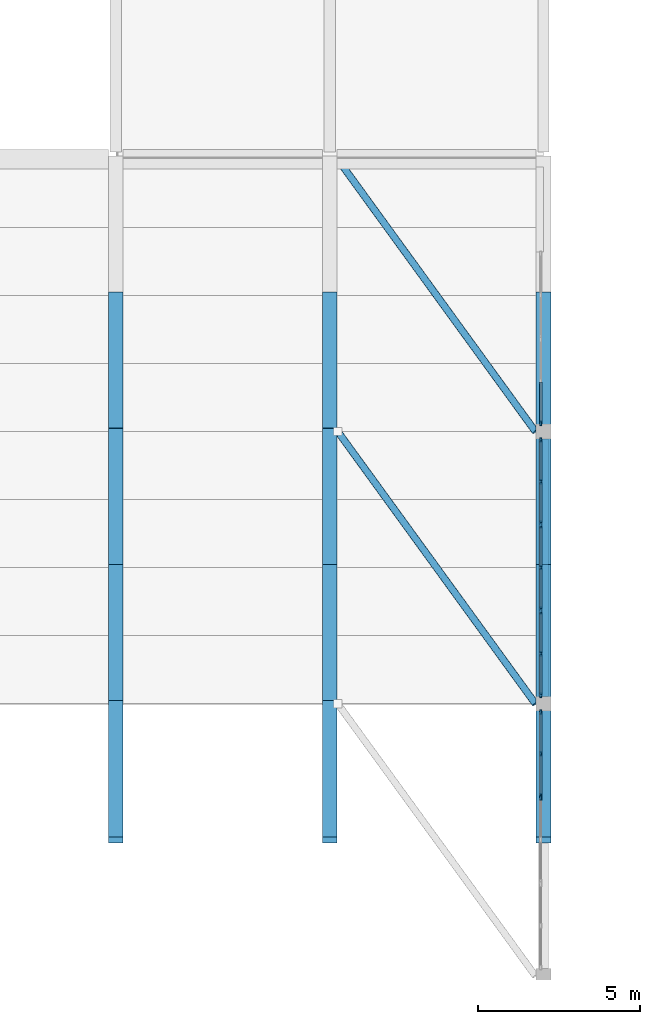
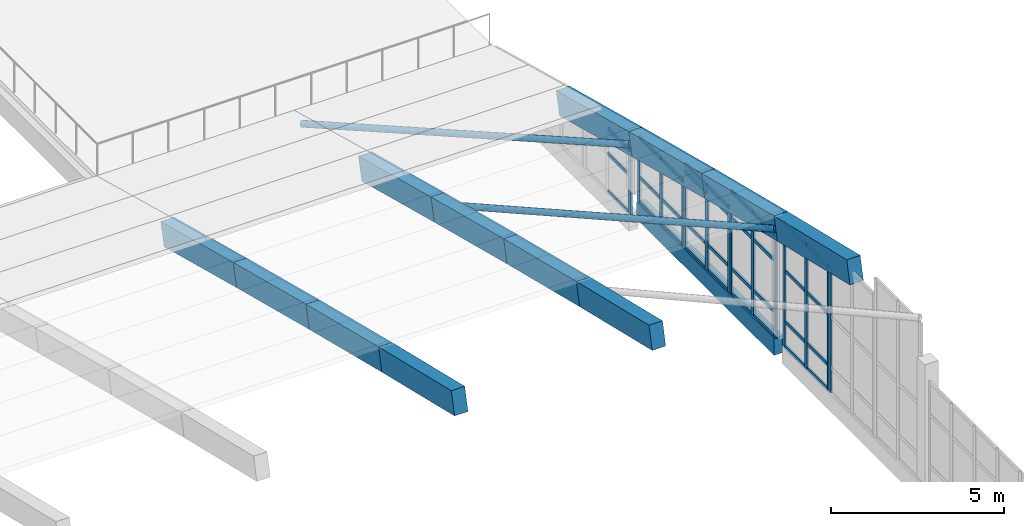
# One storey, part 16 of 78: 49 members, 13 beams, 6 elements without a shape of their own.
"""IFC4 building model written with IfcOpenShell, lengths in metres."""

from ifc_helpers import new_model, si_unit, direction, frame, origin, origin_2d, place, context, subcontext, project, spatial, rectangle, hollow_circle, extrude, material, material_profile, profile_set, type_object, element, aggregate, save


model = new_model("IFC4")

# Units and contexts
model_context = context("Model", 3, precision=1e-05, world=origin(), true_north=direction((0.0, 1.0)))
body_context = subcontext(model_context, "Body", "Model", "MODEL_VIEW")
ifc_project = project(units=[si_unit("LENGTHUNIT", "METRE"), si_unit("AREAUNIT", "SQUARE_METRE"), si_unit("VOLUMEUNIT", "CUBIC_METRE"), si_unit("PLANEANGLEUNIT", "RADIAN"), si_unit("MASSUNIT", "GRAM", prefix="KILO")], contexts=[model_context])

# Site, building, storey
site_placement = place(None, origin())
site = spatial("IfcSite", under=ifc_project, at=site_placement, CompositionType="ELEMENT")
building_placement = place(site_placement, origin())
building = spatial("IfcBuilding", under=site, at=building_placement, Name="Qaldarim Faculty of Natural and Applied Sciences", CompositionType="ELEMENT")
storey_placement = place(building_placement, frame((0.0, 0.0, 18.60009765625)))
storey = spatial("IfcBuildingStorey", under=building, at=storey_placement, Name="L04", CompositionType="ELEMENT", Elevation=18.60009765625)

# Curtain wall, member
ifc_material_1 = material(Name="Anodised aluminium AW-6063", Category="aluminium")
curtain_wall_type_1 = type_object("IfcCurtainWallType", Name="CurtainWallSystem-M1300", PredefinedType="USERDEFINED", material=ifc_material_1)
curtain_wall_1_placement = place(storey_placement, origin())
curtain_wall_1 = element("IfcCurtainWall", 1, at=curtain_wall_1_placement, inside=storey, type_object=curtain_wall_type_1, Name="Curtain wall CW-GABLE-L04-E-Y08-2", ObjectType="STICK CURTAIN WALL", PredefinedType="USERDEFINED")
ifc_material_profile_1 = material_profile(ifc_material_1, rectangle(XDim=0.06005859375, YDim=0.14990234375, at=origin_2d()), Name="ALU-M60x150")
ifc_profile_set_1 = profile_set([ifc_material_profile_1], Name="Anodised aluminium AW-6063")
member_type_1 = type_object("IfcMemberType", Name="Mullion-ALU60x150", PredefinedType="MULLION", material=ifc_profile_set_1)
member_1_placement = place(storey_placement, frame((46.1201171875, 64.2900390625, -0.260009765625), z_axis=(0.0, 0.0, 1.0), x_axis=(-1.0, 0.0, 0.0)))
member_1 = element("IfcMember", 2, at=member_1_placement, type_object=member_type_1, Name="Mullion 3 of CW-GABLE-L04-E-Y08-2", PredefinedType="MULLION", context=body_context, shape_type="SweptSolid", body=[
    extrude(rectangle(XDim=0.06005859375, YDim=0.14990234375, at=origin_2d()), origin(), (0.0, 0.0, 1.0), 5.0048828125),
])
aggregate(curtain_wall_1, [member_1])

# Curtain wall, members
curtain_wall_2_placement = place(storey_placement, origin())
curtain_wall_2 = element("IfcCurtainWall", 3, at=curtain_wall_2_placement, inside=storey, type_object=curtain_wall_type_1, Name="Curtain wall CW-GABLE-L04-E-Y08-3", ObjectType="STICK CURTAIN WALL", PredefinedType="USERDEFINED")
member_2_placement = place(storey_placement, frame((46.1201171875, 64.364990234375, -0.260009765625), z_axis=(0.0, 0.0, 1.0), x_axis=(-1.0, 0.0, 0.0)))
member_2 = element("IfcMember", 4, at=member_2_placement, type_object=member_type_1, Name="Mullion 1 of CW-GABLE-L04-E-Y08-3", PredefinedType="MULLION", context=body_context, shape_type="SweptSolid", body=[
    extrude(rectangle(XDim=0.06005859375, YDim=0.14990234375, at=origin_2d()), origin(), (0.0, 0.0, 1.0), 4.385009765625),
])
member_3_placement = place(storey_placement, frame((46.1201171875, 65.652587890625, -0.260009765625), z_axis=(0.0, 0.0, 1.0), x_axis=(-1.0, 0.0, 0.0)))
member_3 = element("IfcMember", 5, at=member_3_placement, type_object=member_type_1, Name="Mullion 2 of CW-GABLE-L04-E-Y08-3", PredefinedType="MULLION", context=body_context, shape_type="SweptSolid", body=[
    extrude(rectangle(XDim=0.06005859375, YDim=0.14990234375, at=origin_2d()), origin(), (0.0, 0.0, 1.0), 4.385009765625),
])
member_4_placement = place(storey_placement, frame((46.1201171875, 66.93994140625, -0.260009765625), z_axis=(0.0, 0.0, 1.0), x_axis=(-1.0, 0.0, 0.0)))
member_4 = element("IfcMember", 6, at=member_4_placement, type_object=member_type_1, Name="Mullion 3 of CW-GABLE-L04-E-Y08-3", PredefinedType="MULLION", context=body_context, shape_type="SweptSolid", body=[
    extrude(rectangle(XDim=0.06005859375, YDim=0.14990234375, at=origin_2d()), origin(), (0.0, 0.0, 1.0), 4.385009765625),
])

curtain_wall_3_placement = place(storey_placement, origin())
curtain_wall_3 = element("IfcCurtainWall", 7, at=curtain_wall_3_placement, inside=storey, type_object=curtain_wall_type_1, Name="Curtain wall CW-GABLE-L04-E-Y09-1", ObjectType="STICK CURTAIN WALL", PredefinedType="USERDEFINED")
member_5_placement = place(storey_placement, frame((46.1201171875, 67.4599609375, -0.260009765625), z_axis=(0.0, 0.0, 1.0), x_axis=(-1.0, 0.0, 0.0)))
member_5 = element("IfcMember", 8, at=member_5_placement, type_object=member_type_1, Name="Mullion 1 of CW-GABLE-L04-E-Y09-1", PredefinedType="MULLION", context=body_context, shape_type="SweptSolid", body=[
    extrude(rectangle(XDim=0.06005859375, YDim=0.14990234375, at=origin_2d()), origin(), (0.0, 0.0, 1.0), 3.64501953125),
])
member_6_placement = place(storey_placement, frame((46.1201171875, 68.74755859375, -0.260009765625), z_axis=(0.0, 0.0, 1.0), x_axis=(-1.0, 0.0, 0.0)))
member_6 = element("IfcMember", 9, at=member_6_placement, type_object=member_type_1, Name="Mullion 2 of CW-GABLE-L04-E-Y09-1", PredefinedType="MULLION", context=body_context, shape_type="SweptSolid", body=[
    extrude(rectangle(XDim=0.06005859375, YDim=0.14990234375, at=origin_2d()), origin(), (0.0, 0.0, 1.0), 3.64501953125),
])
member_7_placement = place(storey_placement, frame((46.1201171875, 70.034912109375, -0.260009765625), z_axis=(0.0, 0.0, 1.0), x_axis=(-1.0, 0.0, 0.0)))
member_7 = element("IfcMember", 10, at=member_7_placement, type_object=member_type_1, Name="Mullion 3 of CW-GABLE-L04-E-Y09-1", PredefinedType="MULLION", context=body_context, shape_type="SweptSolid", body=[
    extrude(rectangle(XDim=0.06005859375, YDim=0.14990234375, at=origin_2d()), origin(), (0.0, 0.0, 1.0), 3.64501953125),
])

curtain_wall_4_placement = place(storey_placement, origin())
curtain_wall_4 = element("IfcCurtainWall", 11, at=curtain_wall_4_placement, inside=storey, type_object=curtain_wall_type_1, Name="Curtain wall CW-GABLE-L04-E-Y09-2", ObjectType="STICK CURTAIN WALL", PredefinedType="USERDEFINED")
member_8_placement = place(storey_placement, frame((46.1201171875, 70.114990234375, -0.260009765625), z_axis=(0.0, 0.0, 1.0), x_axis=(-1.0, 0.0, 0.0)))
member_8 = element("IfcMember", 12, at=member_8_placement, type_object=member_type_1, Name="Mullion 1 of CW-GABLE-L04-E-Y09-2", PredefinedType="MULLION", context=body_context, shape_type="SweptSolid", body=[
    extrude(rectangle(XDim=0.06005859375, YDim=0.14990234375, at=origin_2d()), origin(), (0.0, 0.0, 1.0), 2.989990234375),
])
member_9_placement = place(storey_placement, frame((46.1201171875, 71.402587890625, -0.260009765625), z_axis=(0.0, 0.0, 1.0), x_axis=(-1.0, 0.0, 0.0)))
member_9 = element("IfcMember", 13, at=member_9_placement, type_object=member_type_1, Name="Mullion 2 of CW-GABLE-L04-E-Y09-2", PredefinedType="MULLION", context=body_context, shape_type="SweptSolid", body=[
    extrude(rectangle(XDim=0.06005859375, YDim=0.14990234375, at=origin_2d()), origin(), (0.0, 0.0, 1.0), 2.989990234375),
])
member_10_placement = place(storey_placement, frame((46.1201171875, 72.68994140625, -0.260009765625), z_axis=(0.0, 0.0, 1.0), x_axis=(-1.0, 0.0, 0.0)))
member_10 = element("IfcMember", 14, at=member_10_placement, type_object=member_type_1, Name="Mullion 3 of CW-GABLE-L04-E-Y09-2", PredefinedType="MULLION", context=body_context, shape_type="SweptSolid", body=[
    extrude(rectangle(XDim=0.06005859375, YDim=0.14990234375, at=origin_2d()), origin(), (0.0, 0.0, 1.0), 2.989990234375),
])

curtain_wall_5_placement = place(storey_placement, origin())
curtain_wall_5 = element("IfcCurtainWall", 15, at=curtain_wall_5_placement, inside=storey, type_object=curtain_wall_type_1, Name="Curtain wall CW-GABLE-L04-E-Y09-3", ObjectType="STICK CURTAIN WALL", PredefinedType="USERDEFINED")
member_11_placement = place(storey_placement, frame((46.1201171875, 72.764892578125, -0.260009765625), z_axis=(0.0, 0.0, 1.0), x_axis=(-1.0, 0.0, 0.0)))
member_11 = element("IfcMember", 16, at=member_11_placement, type_object=member_type_1, Name="Mullion 1 of CW-GABLE-L04-E-Y09-3", PredefinedType="MULLION", context=body_context, shape_type="SweptSolid", body=[
    extrude(rectangle(XDim=0.06005859375, YDim=0.14990234375, at=origin_2d()), origin(), (0.0, 0.0, 1.0), 2.31982421875),
])
member_12_placement = place(storey_placement, frame((46.1201171875, 74.052490234375, -0.260009765625), z_axis=(0.0, 0.0, 1.0), x_axis=(-1.0, 0.0, 0.0)))
member_12 = element("IfcMember", 17, at=member_12_placement, type_object=member_type_1, Name="Mullion 2 of CW-GABLE-L04-E-Y09-3", PredefinedType="MULLION", context=body_context, shape_type="SweptSolid", body=[
    extrude(rectangle(XDim=0.06005859375, YDim=0.14990234375, at=origin_2d()), origin(), (0.0, 0.0, 1.0), 2.31982421875),
])
member_13_placement = place(storey_placement, frame((46.1201171875, 75.340087890625, -0.260009765625), z_axis=(0.0, 0.0, 1.0), x_axis=(-1.0, 0.0, 0.0)))
member_13 = element("IfcMember", 18, at=member_13_placement, type_object=member_type_1, Name="Mullion 3 of CW-GABLE-L04-E-Y09-3", PredefinedType="MULLION", context=body_context, shape_type="SweptSolid", body=[
    extrude(rectangle(XDim=0.06005859375, YDim=0.14990234375, at=origin_2d()), origin(), (0.0, 0.0, 1.0), 2.31982421875),
])

# Curtain wall, member
curtain_wall_type_2 = type_object("IfcCurtainWallType", Name="CurtainWallSystem-M1500", PredefinedType="USERDEFINED", material=ifc_material_1)
curtain_wall_6_placement = place(storey_placement, origin())
curtain_wall_6 = element("IfcCurtainWall", 19, at=curtain_wall_6_placement, inside=storey, type_object=curtain_wall_type_2, Name="Curtain wall CW-GABLE-L04-E-Y10-1", ObjectType="STICK CURTAIN WALL", PredefinedType="USERDEFINED")
member_14_placement = place(storey_placement, frame((46.1201171875, 75.860107421875, -0.97998046875), z_axis=(0.0, 0.0, 1.0), x_axis=(-1.0, 0.0, 0.0)))
member_14 = element("IfcMember", 20, at=member_14_placement, type_object=member_type_1, Name="Mullion 1 of CW-GABLE-L04-E-Y10-1", PredefinedType="MULLION", context=body_context, shape_type="SweptSolid", body=[
    extrude(rectangle(XDim=0.06005859375, YDim=0.14990234375, at=origin_2d()), origin(), (0.0, 0.0, 1.0), 2.244873046875),
])

# Beams
ifc_material_2 = material(Name="Concrete C50/60", Category="concrete")
ifc_material_profile_2 = material_profile(ifc_material_2, rectangle(XDim=0.449951171875, YDim=0.800048828125, at=origin_2d()), Name="RC-RIB450x800")
ifc_profile_set_2 = profile_set([ifc_material_profile_2], Name="Concrete C50/60")
beam_type_1 = type_object("IfcBeamType", Name="ShellArchRib-RC450x800", PredefinedType="BEAM", material=ifc_profile_set_2)
beam_1_placement = place(storey_placement, frame((33.0, 79.800048828125, 0.56494140625), z_axis=(0.0, -0.967379770431, 0.253330574074), x_axis=(1.0, 0.0, 0.0)))
element("IfcBeam", 21, at=beam_1_placement, inside=storey, type_object=beam_type_1, Name="Shell arch rib 6 N segment 2", PredefinedType="BEAM", context=body_context, shape_type="SweptSolid", body=[
    extrude(rectangle(XDim=0.449951171875, YDim=0.800048828125, at=origin_2d()), origin(), (0.0, 0.0, 1.0), 4.341552734375),
])
beam_2_placement = place(storey_placement, frame((33.0, 75.60009765625, 1.664794921875), z_axis=(0.0, -0.968762445558, 0.247990572555), x_axis=(1.0, 0.0, 0.0)))
element("IfcBeam", 22, at=beam_2_placement, inside=storey, type_object=beam_type_1, Name="Shell arch rib 6 N segment 3", PredefinedType="BEAM", context=body_context, shape_type="SweptSolid", body=[
    extrude(rectangle(XDim=0.449951171875, YDim=0.800048828125, at=origin_2d()), origin(), (0.0, 0.0, 1.0), 4.335693359375),
])
beam_3_placement = place(storey_placement, frame((33.0, 71.39990234375, 2.739990234375), z_axis=(0.0, -0.970694267703, 0.24031778679), x_axis=(1.0, 0.0, 0.0)))
element("IfcBeam", 23, at=beam_3_placement, inside=storey, type_object=beam_type_1, Name="Shell arch rib 6 N segment 4", PredefinedType="BEAM", context=body_context, shape_type="SweptSolid", body=[
    extrude(rectangle(XDim=0.449951171875, YDim=0.800048828125, at=origin_2d()), origin(), (0.0, 0.0, 1.0), 4.32666015625),
])
beam_4_placement = place(storey_placement, frame((33.0, 67.199951171875, 3.77978515625), z_axis=(0.0, -0.972805607937, 0.231623075633), x_axis=(1.0, 0.0, 0.0)))
element("IfcBeam", 24, at=beam_4_placement, inside=storey, type_object=beam_type_1, Name="Shell arch rib 6 N segment 5", PredefinedType="BEAM", context=body_context, shape_type="SweptSolid", body=[
    extrude(rectangle(XDim=0.449951171875, YDim=0.800048828125, at=origin_2d()), origin(), (0.0, 0.0, 1.0), 4.3173828125),
])
beam_5_placement = place(storey_placement, frame((39.60009765625, 79.800048828125, 0.56494140625), z_axis=(0.0, -0.967379770431, 0.253330574074), x_axis=(1.0, 0.0, 0.0)))
element("IfcBeam", 25, at=beam_5_placement, inside=storey, type_object=beam_type_1, Name="Shell arch rib 7 N segment 2", PredefinedType="BEAM", context=body_context, shape_type="SweptSolid", body=[
    extrude(rectangle(XDim=0.449951171875, YDim=0.800048828125, at=origin_2d()), origin(), (0.0, 0.0, 1.0), 4.341552734375),
])
beam_6_placement = place(storey_placement, frame((39.60009765625, 75.60009765625, 1.664794921875), z_axis=(0.0, -0.968762445558, 0.247990572555), x_axis=(1.0, 0.0, 0.0)))
element("IfcBeam", 26, at=beam_6_placement, inside=storey, type_object=beam_type_1, Name="Shell arch rib 7 N segment 3", PredefinedType="BEAM", context=body_context, shape_type="SweptSolid", body=[
    extrude(rectangle(XDim=0.449951171875, YDim=0.800048828125, at=origin_2d()), origin(), (0.0, 0.0, 1.0), 4.335693359375),
])
beam_7_placement = place(storey_placement, frame((39.60009765625, 71.39990234375, 2.739990234375), z_axis=(0.0, -0.970694267703, 0.24031778679), x_axis=(1.0, 0.0, 0.0)))
element("IfcBeam", 27, at=beam_7_placement, inside=storey, type_object=beam_type_1, Name="Shell arch rib 7 N segment 4", PredefinedType="BEAM", context=body_context, shape_type="SweptSolid", body=[
    extrude(rectangle(XDim=0.449951171875, YDim=0.800048828125, at=origin_2d()), origin(), (0.0, 0.0, 1.0), 4.32666015625),
])
beam_8_placement = place(storey_placement, frame((39.60009765625, 67.199951171875, 3.77978515625), z_axis=(0.0, -0.972805607937, 0.231623075633), x_axis=(1.0, 0.0, 0.0)))
element("IfcBeam", 28, at=beam_8_placement, inside=storey, type_object=beam_type_1, Name="Shell arch rib 7 N segment 5", PredefinedType="BEAM", context=body_context, shape_type="SweptSolid", body=[
    extrude(rectangle(XDim=0.449951171875, YDim=0.800048828125, at=origin_2d()), origin(), (0.0, 0.0, 1.0), 4.3173828125),
])
beam_9_placement = place(storey_placement, frame((46.199951171875, 79.800048828125, 0.56494140625), z_axis=(0.0, -0.967379770431, 0.253330574074), x_axis=(1.0, 0.0, 0.0)))
element("IfcBeam", 29, at=beam_9_placement, inside=storey, type_object=beam_type_1, Name="Shell arch rib 8 N segment 2", PredefinedType="BEAM", context=body_context, shape_type="SweptSolid", body=[
    extrude(rectangle(XDim=0.449951171875, YDim=0.800048828125, at=origin_2d()), origin(), (0.0, 0.0, 1.0), 4.341552734375),
])
beam_10_placement = place(storey_placement, frame((46.199951171875, 75.60009765625, 1.664794921875), z_axis=(0.0, -0.968762445558, 0.247990572555), x_axis=(1.0, 0.0, 0.0)))
element("IfcBeam", 30, at=beam_10_placement, inside=storey, type_object=beam_type_1, Name="Shell arch rib 8 N segment 3", PredefinedType="BEAM", context=body_context, shape_type="SweptSolid", body=[
    extrude(rectangle(XDim=0.449951171875, YDim=0.800048828125, at=origin_2d()), origin(), (0.0, 0.0, 1.0), 4.335693359375),
])
beam_11_placement = place(storey_placement, frame((46.199951171875, 71.39990234375, 2.739990234375), z_axis=(0.0, -0.970694267703, 0.24031778679), x_axis=(1.0, 0.0, 0.0)))
element("IfcBeam", 31, at=beam_11_placement, inside=storey, type_object=beam_type_1, Name="Shell arch rib 8 N segment 4", PredefinedType="BEAM", context=body_context, shape_type="SweptSolid", body=[
    extrude(rectangle(XDim=0.449951171875, YDim=0.800048828125, at=origin_2d()), origin(), (0.0, 0.0, 1.0), 4.32666015625),
])
beam_12_placement = place(storey_placement, frame((46.199951171875, 67.199951171875, 3.77978515625), z_axis=(0.0, -0.972805607937, 0.231623075633), x_axis=(1.0, 0.0, 0.0)))
element("IfcBeam", 32, at=beam_12_placement, inside=storey, type_object=beam_type_1, Name="Shell arch rib 8 N segment 5", PredefinedType="BEAM", context=body_context, shape_type="SweptSolid", body=[
    extrude(rectangle(XDim=0.449951171875, YDim=0.800048828125, at=origin_2d()), origin(), (0.0, 0.0, 1.0), 4.3173828125),
])

# Members
ifc_material_3 = material(Name="Structural steel S355", Category="steel")
ifc_material_profile_3 = material_profile(ifc_material_3, hollow_circle(Radius=0.109619140625, WallThickness=0.012451171875, at=origin_2d()), Name="CHS 219.1x12.5")
ifc_profile_set_3 = profile_set([ifc_material_profile_3], Name="Structural steel S355")
member_type_2 = type_object("IfcMemberType", Name="ShellStrut-CHS219x12-5", PredefinedType="STRUT", material=ifc_profile_set_3)
member_15_placement = place(storey_placement, frame((39.85009765625, 84.0, -0.56005859375), z_axis=(0.574547012526, -0.791189294096, 0.209559612774), x_axis=(0.809155894574, 0.587594025052, 0.0)))
element("IfcMember", 33, at=member_15_placement, inside=storey, type_object=member_type_2, Name="Shell wind strut bay 7 N1", PredefinedType="STRUT", context=body_context, shape_type="SweptSolid", body=[
    extrude(hollow_circle(Radius=0.109619140625, WallThickness=0.012451171875, at=origin_2d()), origin(), (0.0, 0.0, 1.0), 10.61669921875),
])
member_16_placement = place(storey_placement, frame((39.85009765625, 75.60009765625, 1.664794921875), z_axis=(0.575755524521, -0.792876539211, 0.199630582707), x_axis=(0.809164014281, 0.587582843515, 0.0)))
element("IfcMember", 34, at=member_16_placement, inside=storey, type_object=member_type_2, Name="Shell wind strut bay 7 N2", PredefinedType="STRUT", context=body_context, shape_type="SweptSolid", body=[
    extrude(hollow_circle(Radius=0.109619140625, WallThickness=0.012451171875, at=origin_2d()), origin(), (0.0, 0.0, 1.0), 10.594482421875),
])

# Beam
ifc_material_4 = material(Name="Precast concrete C40/50", Category="concrete")
ifc_material_profile_4 = material_profile(ifc_material_4, rectangle(XDim=0.300048828125, YDim=0.60009765625, at=origin_2d()), Name="RC-SP300x600")
ifc_profile_set_4 = profile_set([ifc_material_profile_4], Name="Precast concrete C40/50")
beam_type_2 = type_object("IfcBeamType", Name="SpandrelBeam-RC300x600", PredefinedType="SPANDREL", material=ifc_profile_set_4)
beam_13_placement = place(storey_placement, frame((46.199951171875, 67.425048828125, -0.56005859375), z_axis=(0.0, 1.0, 0.0), x_axis=(-1.0, 0.0, 0.0)))
element("IfcBeam", 35, at=beam_13_placement, inside=storey, type_object=beam_type_2, Name="Shell gable tie beam L03 X08/Y09-Y10", PredefinedType="SPANDREL", context=body_context, shape_type="SweptSolid", body=[
    extrude(rectangle(XDim=0.300048828125, YDim=0.60009765625, at=origin_2d()), origin(), (0.0, 0.0, 1.0), 7.949951171875),
])

# Member
ifc_material_profile_5 = material_profile(ifc_material_1, rectangle(XDim=0.06005859375, YDim=0.1201171875, at=origin_2d()), Name="ALU-T60x120")
ifc_profile_set_5 = profile_set([ifc_material_profile_5], Name="Anodised aluminium AW-6063")
member_type_3 = type_object("IfcMemberType", Name="Transom-ALU60x120", PredefinedType="USERDEFINED", material=ifc_profile_set_5)
member_17_placement = place(storey_placement, frame((46.1201171875, 64.39501953125, -0.22998046875), z_axis=(0.0, 1.0, 0.0), x_axis=(-1.0, 0.0, 0.0)))
member_17 = element("IfcMember", 36, at=member_17_placement, type_object=member_type_3, Name="Transom 1-1 of CW-GABLE-L04-E-Y08-3", ObjectType="TRANSOM", PredefinedType="USERDEFINED", context=body_context, shape_type="SweptSolid", body=[
    extrude(rectangle(XDim=0.06005859375, YDim=0.1201171875, at=origin_2d()), origin(), (0.0, 0.0, 1.0), 1.2275390625),
])

member_18_placement = place(storey_placement, frame((46.1201171875, 64.39501953125, 0.639892578125), z_axis=(0.0, 1.0, 0.0), x_axis=(-1.0, 0.0, 0.0)))
member_18 = element("IfcMember", 37, at=member_18_placement, type_object=member_type_3, Name="Transom 1-2 of CW-GABLE-L04-E-Y08-3", ObjectType="TRANSOM", PredefinedType="USERDEFINED", context=body_context, shape_type="SweptSolid", body=[
    extrude(rectangle(XDim=0.06005859375, YDim=0.1201171875, at=origin_2d()), origin(), (0.0, 0.0, 1.0), 1.2275390625),
])

member_19_placement = place(storey_placement, frame((46.1201171875, 64.39501953125, 2.43994140625), z_axis=(0.0, 1.0, 0.0), x_axis=(-1.0, 0.0, 0.0)))
member_19 = element("IfcMember", 38, at=member_19_placement, type_object=member_type_3, Name="Transom 1-3 of CW-GABLE-L04-E-Y08-3", ObjectType="TRANSOM", PredefinedType="USERDEFINED", context=body_context, shape_type="SweptSolid", body=[
    extrude(rectangle(XDim=0.06005859375, YDim=0.1201171875, at=origin_2d()), origin(), (0.0, 0.0, 1.0), 1.2275390625),
])

member_20_placement = place(storey_placement, frame((46.1201171875, 64.39501953125, 4.094970703125), z_axis=(0.0, 1.0, 0.0), x_axis=(-1.0, 0.0, 0.0)))
member_20 = element("IfcMember", 39, at=member_20_placement, type_object=member_type_3, Name="Transom 1-4 of CW-GABLE-L04-E-Y08-3", ObjectType="TRANSOM", PredefinedType="USERDEFINED", context=body_context, shape_type="SweptSolid", body=[
    extrude(rectangle(XDim=0.06005859375, YDim=0.1201171875, at=origin_2d()), origin(), (0.0, 0.0, 1.0), 1.2275390625),
])

member_21_placement = place(storey_placement, frame((46.1201171875, 65.6826171875, -0.22998046875), z_axis=(0.0, 1.0, 0.0), x_axis=(-1.0, 0.0, 0.0)))
member_21 = element("IfcMember", 40, at=member_21_placement, type_object=member_type_3, Name="Transom 2-1 of CW-GABLE-L04-E-Y08-3", ObjectType="TRANSOM", PredefinedType="USERDEFINED", context=body_context, shape_type="SweptSolid", body=[
    extrude(rectangle(XDim=0.06005859375, YDim=0.1201171875, at=origin_2d()), origin(), (0.0, 0.0, 1.0), 1.227294921875),
])

member_22_placement = place(storey_placement, frame((46.1201171875, 65.6826171875, 0.639892578125), z_axis=(0.0, 1.0, 0.0), x_axis=(-1.0, 0.0, 0.0)))
member_22 = element("IfcMember", 41, at=member_22_placement, type_object=member_type_3, Name="Transom 2-2 of CW-GABLE-L04-E-Y08-3", ObjectType="TRANSOM", PredefinedType="USERDEFINED", context=body_context, shape_type="SweptSolid", body=[
    extrude(rectangle(XDim=0.06005859375, YDim=0.1201171875, at=origin_2d()), origin(), (0.0, 0.0, 1.0), 1.227294921875),
])

member_23_placement = place(storey_placement, frame((46.1201171875, 65.6826171875, 2.43994140625), z_axis=(0.0, 1.0, 0.0), x_axis=(-1.0, 0.0, 0.0)))
member_23 = element("IfcMember", 42, at=member_23_placement, type_object=member_type_3, Name="Transom 2-3 of CW-GABLE-L04-E-Y08-3", ObjectType="TRANSOM", PredefinedType="USERDEFINED", context=body_context, shape_type="SweptSolid", body=[
    extrude(rectangle(XDim=0.06005859375, YDim=0.1201171875, at=origin_2d()), origin(), (0.0, 0.0, 1.0), 1.227294921875),
])

member_24_placement = place(storey_placement, frame((46.1201171875, 65.6826171875, 4.094970703125), z_axis=(0.0, 1.0, 0.0), x_axis=(-1.0, 0.0, 0.0)))
member_24 = element("IfcMember", 43, at=member_24_placement, type_object=member_type_3, Name="Transom 2-4 of CW-GABLE-L04-E-Y08-3", ObjectType="TRANSOM", PredefinedType="USERDEFINED", context=body_context, shape_type="SweptSolid", body=[
    extrude(rectangle(XDim=0.06005859375, YDim=0.1201171875, at=origin_2d()), origin(), (0.0, 0.0, 1.0), 1.227294921875),
])

aggregate(curtain_wall_2, [member_2, member_3, member_4, member_17, member_18, member_19, member_20, member_21, member_22, member_23, member_24])

member_25_placement = place(storey_placement, frame((46.1201171875, 67.489990234375, -0.22998046875), z_axis=(0.0, 1.0, 0.0), x_axis=(-1.0, 0.0, 0.0)))
member_25 = element("IfcMember", 44, at=member_25_placement, type_object=member_type_3, Name="Transom 1-1 of CW-GABLE-L04-E-Y09-1", ObjectType="TRANSOM", PredefinedType="USERDEFINED", context=body_context, shape_type="SweptSolid", body=[
    extrude(rectangle(XDim=0.06005859375, YDim=0.1201171875, at=origin_2d()), origin(), (0.0, 0.0, 1.0), 1.2275390625),
])

member_26_placement = place(storey_placement, frame((46.1201171875, 67.489990234375, 0.639892578125), z_axis=(0.0, 1.0, 0.0), x_axis=(-1.0, 0.0, 0.0)))
member_26 = element("IfcMember", 45, at=member_26_placement, type_object=member_type_3, Name="Transom 1-2 of CW-GABLE-L04-E-Y09-1", ObjectType="TRANSOM", PredefinedType="USERDEFINED", context=body_context, shape_type="SweptSolid", body=[
    extrude(rectangle(XDim=0.06005859375, YDim=0.1201171875, at=origin_2d()), origin(), (0.0, 0.0, 1.0), 1.2275390625),
])

member_27_placement = place(storey_placement, frame((46.1201171875, 67.489990234375, 2.43994140625), z_axis=(0.0, 1.0, 0.0), x_axis=(-1.0, 0.0, 0.0)))
member_27 = element("IfcMember", 46, at=member_27_placement, type_object=member_type_3, Name="Transom 1-3 of CW-GABLE-L04-E-Y09-1", ObjectType="TRANSOM", PredefinedType="USERDEFINED", context=body_context, shape_type="SweptSolid", body=[
    extrude(rectangle(XDim=0.06005859375, YDim=0.1201171875, at=origin_2d()), origin(), (0.0, 0.0, 1.0), 1.2275390625),
])

member_28_placement = place(storey_placement, frame((46.1201171875, 67.489990234375, 3.35498046875), z_axis=(0.0, 1.0, 0.0), x_axis=(-1.0, 0.0, 0.0)))
member_28 = element("IfcMember", 47, at=member_28_placement, type_object=member_type_3, Name="Transom 1-4 of CW-GABLE-L04-E-Y09-1", ObjectType="TRANSOM", PredefinedType="USERDEFINED", context=body_context, shape_type="SweptSolid", body=[
    extrude(rectangle(XDim=0.06005859375, YDim=0.1201171875, at=origin_2d()), origin(), (0.0, 0.0, 1.0), 1.2275390625),
])

member_29_placement = place(storey_placement, frame((46.1201171875, 68.777587890625, -0.22998046875), z_axis=(0.0, 1.0, 0.0), x_axis=(-1.0, 0.0, 0.0)))
member_29 = element("IfcMember", 48, at=member_29_placement, type_object=member_type_3, Name="Transom 2-1 of CW-GABLE-L04-E-Y09-1", ObjectType="TRANSOM", PredefinedType="USERDEFINED", context=body_context, shape_type="SweptSolid", body=[
    extrude(rectangle(XDim=0.06005859375, YDim=0.1201171875, at=origin_2d()), origin(), (0.0, 0.0, 1.0), 1.227294921875),
])

member_30_placement = place(storey_placement, frame((46.1201171875, 68.777587890625, 0.639892578125), z_axis=(0.0, 1.0, 0.0), x_axis=(-1.0, 0.0, 0.0)))
member_30 = element("IfcMember", 49, at=member_30_placement, type_object=member_type_3, Name="Transom 2-2 of CW-GABLE-L04-E-Y09-1", ObjectType="TRANSOM", PredefinedType="USERDEFINED", context=body_context, shape_type="SweptSolid", body=[
    extrude(rectangle(XDim=0.06005859375, YDim=0.1201171875, at=origin_2d()), origin(), (0.0, 0.0, 1.0), 1.227294921875),
])

member_31_placement = place(storey_placement, frame((46.1201171875, 68.777587890625, 2.43994140625), z_axis=(0.0, 1.0, 0.0), x_axis=(-1.0, 0.0, 0.0)))
member_31 = element("IfcMember", 50, at=member_31_placement, type_object=member_type_3, Name="Transom 2-3 of CW-GABLE-L04-E-Y09-1", ObjectType="TRANSOM", PredefinedType="USERDEFINED", context=body_context, shape_type="SweptSolid", body=[
    extrude(rectangle(XDim=0.06005859375, YDim=0.1201171875, at=origin_2d()), origin(), (0.0, 0.0, 1.0), 1.227294921875),
])

member_32_placement = place(storey_placement, frame((46.1201171875, 68.777587890625, 3.35498046875), z_axis=(0.0, 1.0, 0.0), x_axis=(-1.0, 0.0, 0.0)))
member_32 = element("IfcMember", 51, at=member_32_placement, type_object=member_type_3, Name="Transom 2-4 of CW-GABLE-L04-E-Y09-1", ObjectType="TRANSOM", PredefinedType="USERDEFINED", context=body_context, shape_type="SweptSolid", body=[
    extrude(rectangle(XDim=0.06005859375, YDim=0.1201171875, at=origin_2d()), origin(), (0.0, 0.0, 1.0), 1.227294921875),
])

aggregate(curtain_wall_3, [member_5, member_6, member_7, member_25, member_26, member_27, member_28, member_29, member_30, member_31, member_32])

member_33_placement = place(storey_placement, frame((46.1201171875, 70.14501953125, -0.22998046875), z_axis=(0.0, 1.0, 0.0), x_axis=(-1.0, 0.0, 0.0)))
member_33 = element("IfcMember", 52, at=member_33_placement, type_object=member_type_3, Name="Transom 1-1 of CW-GABLE-L04-E-Y09-2", ObjectType="TRANSOM", PredefinedType="USERDEFINED", context=body_context, shape_type="SweptSolid", body=[
    extrude(rectangle(XDim=0.06005859375, YDim=0.1201171875, at=origin_2d()), origin(), (0.0, 0.0, 1.0), 1.2275390625),
])

member_34_placement = place(storey_placement, frame((46.1201171875, 70.14501953125, 0.639892578125), z_axis=(0.0, 1.0, 0.0), x_axis=(-1.0, 0.0, 0.0)))
member_34 = element("IfcMember", 53, at=member_34_placement, type_object=member_type_3, Name="Transom 1-2 of CW-GABLE-L04-E-Y09-2", ObjectType="TRANSOM", PredefinedType="USERDEFINED", context=body_context, shape_type="SweptSolid", body=[
    extrude(rectangle(XDim=0.06005859375, YDim=0.1201171875, at=origin_2d()), origin(), (0.0, 0.0, 1.0), 1.2275390625),
])

member_35_placement = place(storey_placement, frame((46.1201171875, 70.14501953125, 2.43994140625), z_axis=(0.0, 1.0, 0.0), x_axis=(-1.0, 0.0, 0.0)))
member_35 = element("IfcMember", 54, at=member_35_placement, type_object=member_type_3, Name="Transom 1-3 of CW-GABLE-L04-E-Y09-2", ObjectType="TRANSOM", PredefinedType="USERDEFINED", context=body_context, shape_type="SweptSolid", body=[
    extrude(rectangle(XDim=0.06005859375, YDim=0.1201171875, at=origin_2d()), origin(), (0.0, 0.0, 1.0), 1.2275390625),
])

member_36_placement = place(storey_placement, frame((46.1201171875, 70.14501953125, 2.699951171875), z_axis=(0.0, 1.0, 0.0), x_axis=(-1.0, 0.0, 0.0)))
member_36 = element("IfcMember", 55, at=member_36_placement, type_object=member_type_3, Name="Transom 1-4 of CW-GABLE-L04-E-Y09-2", ObjectType="TRANSOM", PredefinedType="USERDEFINED", context=body_context, shape_type="SweptSolid", body=[
    extrude(rectangle(XDim=0.06005859375, YDim=0.1201171875, at=origin_2d()), origin(), (0.0, 0.0, 1.0), 1.2275390625),
])

member_37_placement = place(storey_placement, frame((46.1201171875, 71.4326171875, -0.22998046875), z_axis=(0.0, 1.0, 0.0), x_axis=(-1.0, 0.0, 0.0)))
member_37 = element("IfcMember", 56, at=member_37_placement, type_object=member_type_3, Name="Transom 2-1 of CW-GABLE-L04-E-Y09-2", ObjectType="TRANSOM", PredefinedType="USERDEFINED", context=body_context, shape_type="SweptSolid", body=[
    extrude(rectangle(XDim=0.06005859375, YDim=0.1201171875, at=origin_2d()), origin(), (0.0, 0.0, 1.0), 1.227294921875),
])

member_38_placement = place(storey_placement, frame((46.1201171875, 71.4326171875, 0.639892578125), z_axis=(0.0, 1.0, 0.0), x_axis=(-1.0, 0.0, 0.0)))
member_38 = element("IfcMember", 57, at=member_38_placement, type_object=member_type_3, Name="Transom 2-2 of CW-GABLE-L04-E-Y09-2", ObjectType="TRANSOM", PredefinedType="USERDEFINED", context=body_context, shape_type="SweptSolid", body=[
    extrude(rectangle(XDim=0.06005859375, YDim=0.1201171875, at=origin_2d()), origin(), (0.0, 0.0, 1.0), 1.227294921875),
])

member_39_placement = place(storey_placement, frame((46.1201171875, 71.4326171875, 2.43994140625), z_axis=(0.0, 1.0, 0.0), x_axis=(-1.0, 0.0, 0.0)))
member_39 = element("IfcMember", 58, at=member_39_placement, type_object=member_type_3, Name="Transom 2-3 of CW-GABLE-L04-E-Y09-2", ObjectType="TRANSOM", PredefinedType="USERDEFINED", context=body_context, shape_type="SweptSolid", body=[
    extrude(rectangle(XDim=0.06005859375, YDim=0.1201171875, at=origin_2d()), origin(), (0.0, 0.0, 1.0), 1.227294921875),
])

member_40_placement = place(storey_placement, frame((46.1201171875, 71.4326171875, 2.699951171875), z_axis=(0.0, 1.0, 0.0), x_axis=(-1.0, 0.0, 0.0)))
member_40 = element("IfcMember", 59, at=member_40_placement, type_object=member_type_3, Name="Transom 2-4 of CW-GABLE-L04-E-Y09-2", ObjectType="TRANSOM", PredefinedType="USERDEFINED", context=body_context, shape_type="SweptSolid", body=[
    extrude(rectangle(XDim=0.06005859375, YDim=0.1201171875, at=origin_2d()), origin(), (0.0, 0.0, 1.0), 1.227294921875),
])

aggregate(curtain_wall_4, [member_8, member_9, member_10, member_33, member_34, member_35, member_36, member_37, member_38, member_39, member_40])

member_41_placement = place(storey_placement, frame((46.1201171875, 72.794921875, -0.22998046875), z_axis=(0.0, 1.0, 0.0), x_axis=(-1.0, 0.0, 0.0)))
member_41 = element("IfcMember", 60, at=member_41_placement, type_object=member_type_3, Name="Transom 1-1 of CW-GABLE-L04-E-Y09-3", ObjectType="TRANSOM", PredefinedType="USERDEFINED", context=body_context, shape_type="SweptSolid", body=[
    extrude(rectangle(XDim=0.06005859375, YDim=0.1201171875, at=origin_2d()), origin(), (0.0, 0.0, 1.0), 1.2275390625),
])

member_42_placement = place(storey_placement, frame((46.1201171875, 72.794921875, 0.639892578125), z_axis=(0.0, 1.0, 0.0), x_axis=(-1.0, 0.0, 0.0)))
member_42 = element("IfcMember", 61, at=member_42_placement, type_object=member_type_3, Name="Transom 1-2 of CW-GABLE-L04-E-Y09-3", ObjectType="TRANSOM", PredefinedType="USERDEFINED", context=body_context, shape_type="SweptSolid", body=[
    extrude(rectangle(XDim=0.06005859375, YDim=0.1201171875, at=origin_2d()), origin(), (0.0, 0.0, 1.0), 1.2275390625),
])

member_43_placement = place(storey_placement, frame((46.1201171875, 72.794921875, 2.02978515625), z_axis=(0.0, 1.0, 0.0), x_axis=(-1.0, 0.0, 0.0)))
member_43 = element("IfcMember", 62, at=member_43_placement, type_object=member_type_3, Name="Transom 1-3 of CW-GABLE-L04-E-Y09-3", ObjectType="TRANSOM", PredefinedType="USERDEFINED", context=body_context, shape_type="SweptSolid", body=[
    extrude(rectangle(XDim=0.06005859375, YDim=0.1201171875, at=origin_2d()), origin(), (0.0, 0.0, 1.0), 1.2275390625),
])

member_44_placement = place(storey_placement, frame((46.1201171875, 74.08251953125, -0.22998046875), z_axis=(0.0, 1.0, 0.0), x_axis=(-1.0, 0.0, 0.0)))
member_44 = element("IfcMember", 63, at=member_44_placement, type_object=member_type_3, Name="Transom 2-1 of CW-GABLE-L04-E-Y09-3", ObjectType="TRANSOM", PredefinedType="USERDEFINED", context=body_context, shape_type="SweptSolid", body=[
    extrude(rectangle(XDim=0.06005859375, YDim=0.1201171875, at=origin_2d()), origin(), (0.0, 0.0, 1.0), 1.2275390625),
])

member_45_placement = place(storey_placement, frame((46.1201171875, 74.08251953125, 0.639892578125), z_axis=(0.0, 1.0, 0.0), x_axis=(-1.0, 0.0, 0.0)))
member_45 = element("IfcMember", 64, at=member_45_placement, type_object=member_type_3, Name="Transom 2-2 of CW-GABLE-L04-E-Y09-3", ObjectType="TRANSOM", PredefinedType="USERDEFINED", context=body_context, shape_type="SweptSolid", body=[
    extrude(rectangle(XDim=0.06005859375, YDim=0.1201171875, at=origin_2d()), origin(), (0.0, 0.0, 1.0), 1.2275390625),
])

member_46_placement = place(storey_placement, frame((46.1201171875, 74.08251953125, 2.02978515625), z_axis=(0.0, 1.0, 0.0), x_axis=(-1.0, 0.0, 0.0)))
member_46 = element("IfcMember", 65, at=member_46_placement, type_object=member_type_3, Name="Transom 2-3 of CW-GABLE-L04-E-Y09-3", ObjectType="TRANSOM", PredefinedType="USERDEFINED", context=body_context, shape_type="SweptSolid", body=[
    extrude(rectangle(XDim=0.06005859375, YDim=0.1201171875, at=origin_2d()), origin(), (0.0, 0.0, 1.0), 1.2275390625),
])

aggregate(curtain_wall_5, [member_11, member_12, member_13, member_41, member_42, member_43, member_44, member_45, member_46])

member_47_placement = place(storey_placement, frame((46.1201171875, 75.889892578125, -0.9501953125), z_axis=(0.0, 1.0, 0.0), x_axis=(-1.0, 0.0, 0.0)))
member_47 = element("IfcMember", 66, at=member_47_placement, type_object=member_type_3, Name="Transom 1-1 of CW-GABLE-L04-E-Y10-1", ObjectType="TRANSOM", PredefinedType="USERDEFINED", context=body_context, shape_type="SweptSolid", body=[
    extrude(rectangle(XDim=0.06005859375, YDim=0.1201171875, at=origin_2d()), origin(), (0.0, 0.0, 1.0), 1.2275390625),
])

member_48_placement = place(storey_placement, frame((46.1201171875, 75.889892578125, 0.369873046875), z_axis=(0.0, 1.0, 0.0), x_axis=(-1.0, 0.0, 0.0)))
member_48 = element("IfcMember", 67, at=member_48_placement, type_object=member_type_3, Name="Transom 1-2 of CW-GABLE-L04-E-Y10-1", ObjectType="TRANSOM", PredefinedType="USERDEFINED", context=body_context, shape_type="SweptSolid", body=[
    extrude(rectangle(XDim=0.06005859375, YDim=0.1201171875, at=origin_2d()), origin(), (0.0, 0.0, 1.0), 1.2275390625),
])

member_49_placement = place(storey_placement, frame((46.1201171875, 75.889892578125, 1.23486328125), z_axis=(0.0, 1.0, 0.0), x_axis=(-1.0, 0.0, 0.0)))
member_49 = element("IfcMember", 68, at=member_49_placement, type_object=member_type_3, Name="Transom 1-3 of CW-GABLE-L04-E-Y10-1", ObjectType="TRANSOM", PredefinedType="USERDEFINED", context=body_context, shape_type="SweptSolid", body=[
    extrude(rectangle(XDim=0.06005859375, YDim=0.1201171875, at=origin_2d()), origin(), (0.0, 0.0, 1.0), 1.2275390625),
])

aggregate(curtain_wall_6, [member_14, member_47, member_48, member_49])

save(model, "model.ifc")
